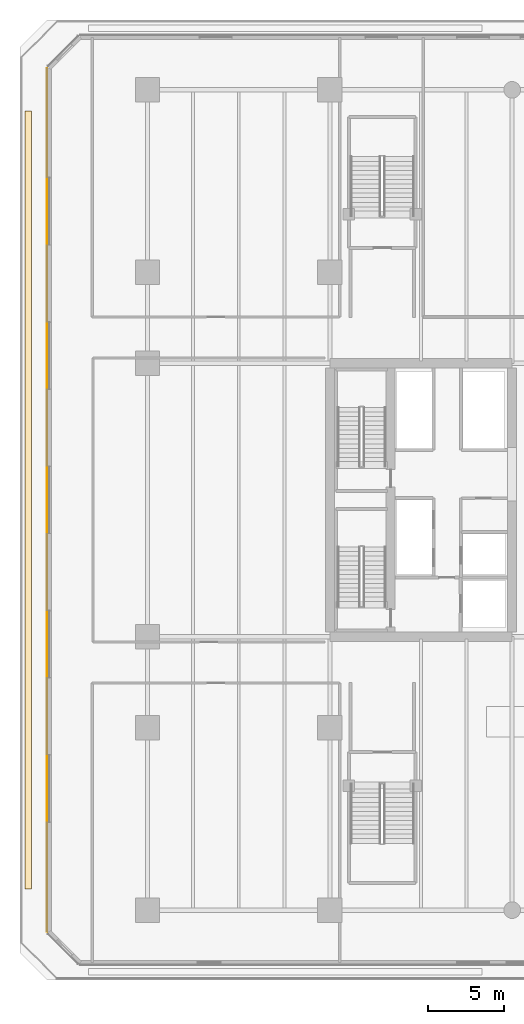
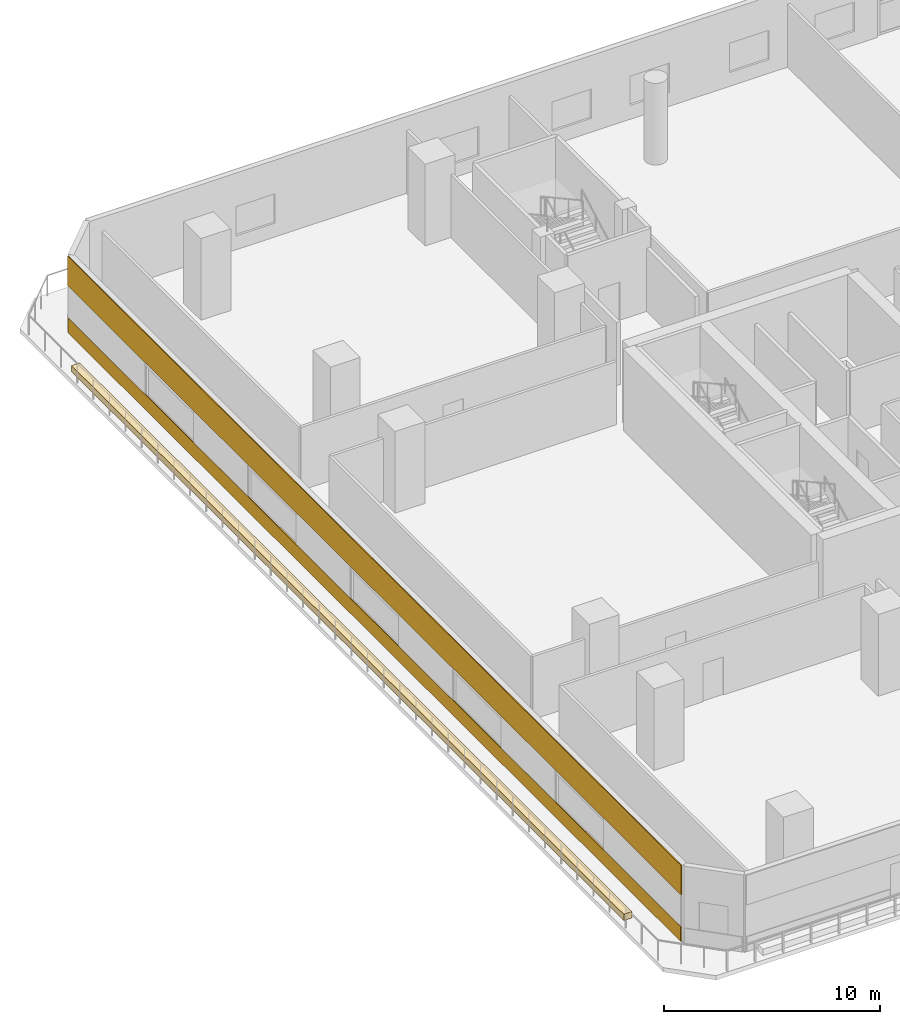
# One storey, part 17 of 27: 3 coverings.
"""IFC4 building model written with IfcOpenShell, lengths in metres."""

from ifc_helpers import new_model, si_unit, direction, frame, origin, origin_2d, place, context, subcontext, project, spatial, polyline, rectangle, outline, extrude, material, layer, layer_set, type_object, element, save


model = new_model("IFC4")

# Units and contexts
model_context = context("Model", 3, precision=1e-05, world=origin(), true_north=direction((0.0, 1.0)))
body_context = subcontext(model_context, "Body", "Model", "MODEL_VIEW")
ifc_project = project(units=[si_unit("LENGTHUNIT", "METRE"), si_unit("AREAUNIT", "SQUARE_METRE"), si_unit("VOLUMEUNIT", "CUBIC_METRE"), si_unit("PLANEANGLEUNIT", "RADIAN"), si_unit("MASSUNIT", "GRAM", prefix="KILO")], contexts=[model_context])

# Site, building, storey
site_placement = place(None, origin())
site = spatial("IfcSite", under=ifc_project, at=site_placement, CompositionType="ELEMENT")
building_placement = place(site_placement, origin())
building = spatial("IfcBuilding", under=site, at=building_placement, Name="Tanjung Sevakor Pilgrim Tower", CompositionType="ELEMENT")
storey_placement = place(building_placement, frame((0.0, 0.0, 14.85009765625)))
storey = spatial("IfcBuildingStorey", under=building, at=storey_placement, Name="L04", CompositionType="ELEMENT", Elevation=14.85009765625)

# Coverings
ifc_material_1 = material(Name="Reconstructed Limestone Cladding", Category="masonry")
ifc_layer_1 = layer(ifc_material_1, 0.044921875)
ifc_layer_set_1 = layer_set([ifc_layer_1], Name="COV-CLAD-LIMESTONE")
covering_type_1 = type_object("IfcCoveringType", Name="COV-CLAD-LIMESTONE", PredefinedType="CLADDING", material=ifc_layer_set_1)
covering_1_placement = place(storey_placement, frame((5.37744140625, 33.60009765625, 0.009765625), z_axis=(0.0, 0.0, 1.0), x_axis=(0.0, -1.0, 0.0)))
element("IfcCovering", 1, at=covering_1_placement, inside=storey, type_object=covering_type_1, Name="L04 Warm Limestone Sill Spandrel EW-L04-MAIN-7-1", PredefinedType="CLADDING", context=body_context, shape_type="SweptSolid", body=[
    extrude(rectangle(XDim=56.803955078125, YDim=0.044921875, at=origin_2d()), origin(), (0.0, 0.0, 1.0), 0.840087890625),
])
covering_2_placement = place(storey_placement, frame((5.37744140625, 33.60009765625, 2.659912109375), z_axis=(0.0, 0.0, 1.0), x_axis=(0.0, -1.0, 0.0)))
element("IfcCovering", 2, at=covering_2_placement, inside=storey, type_object=covering_type_1, Name="L04 Warm Limestone Cornice Spandrel EW-L04-MAIN-7", PredefinedType="CLADDING", context=body_context, shape_type="SweptSolid", body=[
    extrude(rectangle(XDim=56.843994140625, YDim=0.044921875, at=origin_2d()), origin(), (0.0, 0.0, 1.0), 1.669921875),
])
ifc_material_2 = material(Name="Vegetated Modular Planter Assembly", Category="organic")
ifc_layer_2 = layer(ifc_material_2, 0.35009765625)
ifc_layer_set_2 = layer_set([ifc_layer_2], Name="COV-GRN-TROUGH")
covering_type_2 = type_object("IfcCoveringType", Name="COV-GRN-TROUGH", PredefinedType="CLADDING", material=ifc_layer_set_2)
covering_3_placement = place(storey_placement, origin())
element("IfcCovering", 3, at=covering_3_placement, inside=storey, type_object=covering_type_2, Name="L04 Planted Landscape Hedge Trough PGRN-L04-W", PredefinedType="CLADDING", context=body_context, shape_type="SweptSolid", body=[
    extrude(outline(polyline([(4.3701171875, 8.0), (4.3701171875, 59.199951171875), (3.929931640625, 59.199951171875), (3.929931640625, 8.0), (4.3701171875, 8.0)])), origin(), (0.0, 0.0, 1.0), 0.349853515625),
])

save(model, "model.ifc")
